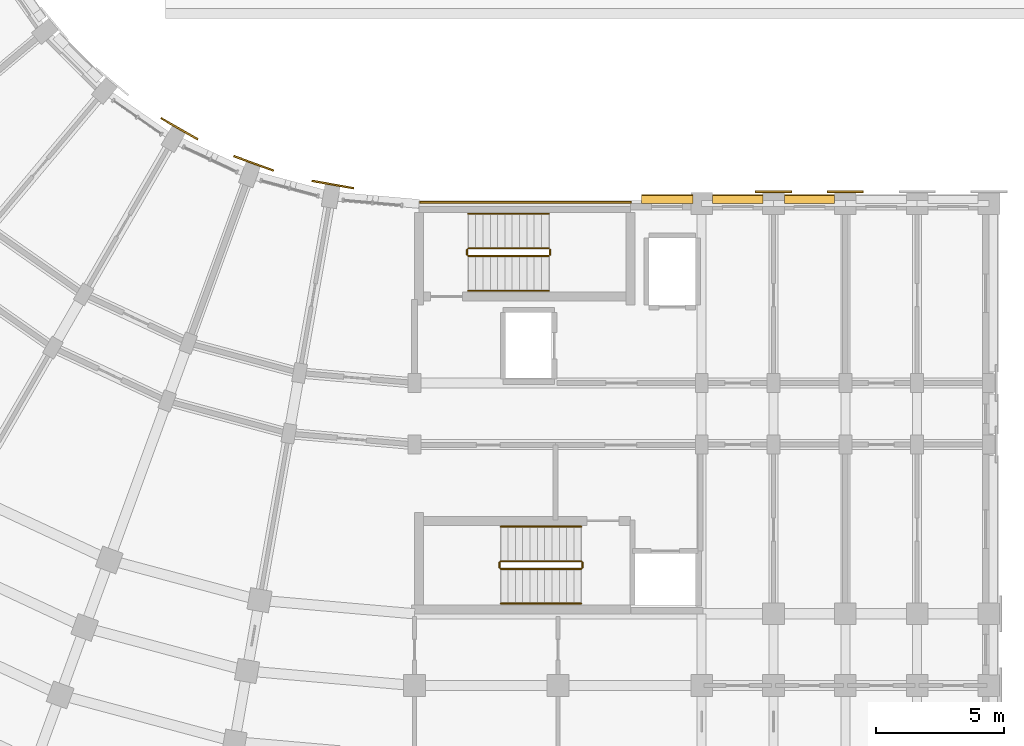
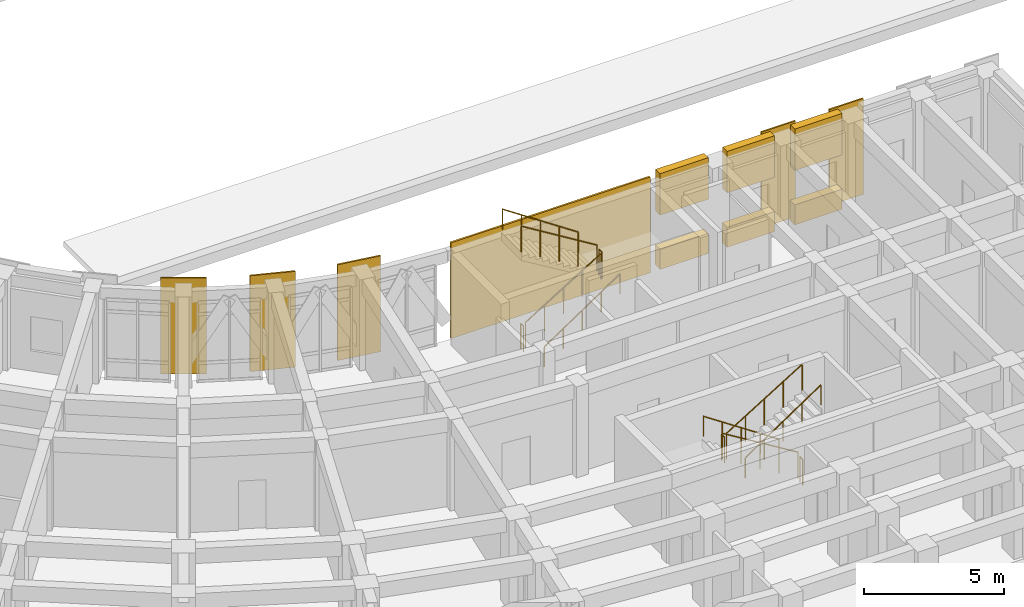
# One storey, part 82 of 97: 12 coverings, 12 railings.
"""IFC4 building model written with IfcOpenShell, lengths in metres."""

from ifc_helpers import new_model, si_unit, direction, frame, origin, origin_2d, place, context, subcontext, project, spatial, polyline, circle, outline, extrude, material, layer, layer_set, type_object, element, save


model = new_model("IFC4")

# Units and contexts
model_context = context("Model", 3, precision=1e-05, world=origin(), true_north=direction((0.0, 1.0)))
body_context = subcontext(model_context, "Body", "Model", "MODEL_VIEW")
ifc_project = project(units=[si_unit("LENGTHUNIT", "METRE"), si_unit("AREAUNIT", "SQUARE_METRE"), si_unit("VOLUMEUNIT", "CUBIC_METRE"), si_unit("PLANEANGLEUNIT", "RADIAN"), si_unit("MASSUNIT", "GRAM", prefix="KILO")], contexts=[model_context])

# Site, building, storey
site_placement = place(None, origin())
site = spatial("IfcSite", under=ifc_project, at=site_placement, CompositionType="ELEMENT")
building_placement = place(site_placement, origin())
building = spatial("IfcBuilding", under=site, at=building_placement, Name="Kiranvali Square Residences", CompositionType="ELEMENT")
storey_placement = place(building_placement, frame((0.0, 0.0, 4.5)))
storey = spatial("IfcBuildingStorey", under=building, at=storey_placement, Name="L01", CompositionType="ELEMENT", Elevation=4.5)

# Coverings
ifc_material_1 = material(Name="Honed Porbandar limestone ashlar facade cladding", Category="masonry")
ifc_layer_1 = layer(ifc_material_1, 0.06494140625)
ifc_layer_set_1 = layer_set([ifc_layer_1], Name="Honed Porbandar limestone ashlar facade cladding")
covering_type_1 = type_object("IfcCoveringType", Name="COV-CLAD-PIER", PredefinedType="CLADDING", material=ifc_layer_set_1)
covering_1_placement = place(storey_placement, frame((0.0, 0.0, 0.0048828125)))
element("IfcCovering", 1, at=covering_1_placement, inside=storey, type_object=covering_type_1, Name="Block C L01 garden stair limestone ashlar cladding", PredefinedType="CLADDING", context=body_context, shape_type="SweptSolid", body=[
    extrude(outline(polyline([(48.39990234375, 29.402099609375), (56.64990234375, 29.402099609375), (56.64990234375, 29.47998046875), (48.39990234375, 29.47998046875), (48.39990234375, 29.402099609375)])), origin(), (0.0, 0.0, 1.0), 4.190185546875),
])
ifc_layer_2 = layer(ifc_material_1, 0.050048828125)
ifc_layer_set_2 = layer_set([ifc_layer_2], Name="Honed Porbandar limestone ashlar facade cladding")
covering_type_2 = type_object("IfcCoveringType", Name="COV-CLAD-PIER-IN", PredefinedType="CLADDING", material=ifc_layer_set_2)
covering_2_placement = place(storey_placement, frame((0.0, 0.0, 0.0048828125)))
element("IfcCovering", 2, at=covering_2_placement, inside=storey, type_object=covering_type_2, Name="L01 Classical garden courtyard pilaster CLAD-PRIN-C-L01-A01", PredefinedType="CLADDING", context=body_context, shape_type="SweptSolid", body=[
    extrude(outline(polyline([(45.83349609375, 30.02783203125), (44.20849609375, 30.314453125), (44.19677734375, 30.247802734375), (45.82177734375, 29.96142578125), (45.83349609375, 30.02783203125)])), origin(), (0.0, 0.0, 1.0), 4.190185546875),
])
covering_3_placement = place(storey_placement, frame((0.0, 0.0, 0.0048828125)))
element("IfcCovering", 3, at=covering_3_placement, inside=storey, type_object=covering_type_2, Name="L01 Classical garden courtyard pilaster CLAD-PRIN-C-L01-A02", PredefinedType="CLADDING", context=body_context, shape_type="SweptSolid", body=[
    extrude(outline(polyline([(42.7138671875, 30.71484375), (41.163330078125, 31.279296875), (41.140380859375, 31.2158203125), (42.69091796875, 30.6513671875), (42.7138671875, 30.71484375)])), origin(), (0.0, 0.0, 1.0), 4.190185546875),
])
covering_4_placement = place(storey_placement, frame((0.0, 0.0, 0.0048828125)))
element("IfcCovering", 4, at=covering_4_placement, inside=storey, type_object=covering_type_2, Name="L01 Classical garden courtyard pilaster CLAD-PRIN-C-L01-A03", PredefinedType="CLADDING", context=body_context, shape_type="SweptSolid", body=[
    extrude(outline(polyline([(39.760986328125, 31.93310546875), (38.33203125, 32.758056640625), (38.29833984375, 32.69970703125), (39.727294921875, 31.874755859375), (39.760986328125, 31.93310546875)])), origin(), (0.0, 0.0, 1.0), 4.190185546875),
])
covering_5_placement = place(storey_placement, frame((0.0, 0.0, 0.0048828125)))
element("IfcCovering", 5, at=covering_5_placement, inside=storey, type_object=covering_type_2, Name="L01 Classical limestone pilaster casing CLAD-PRA1I-C-L01-U140", PredefinedType="CLADDING", context=body_context, shape_type="SweptSolid", body=[
    extrude(outline(polyline([(61.4951171875, 29.825439453125), (62.905029296875, 29.825439453125), (62.905029296875, 29.89306640625), (61.4951171875, 29.89306640625), (61.4951171875, 29.825439453125)])), origin(), (0.0, 0.0, 1.0), 4.190185546875),
])
covering_6_placement = place(storey_placement, frame((0.0, 0.0, 0.0048828125)))
element("IfcCovering", 6, at=covering_6_placement, inside=storey, type_object=covering_type_2, Name="L01 Classical limestone pilaster casing CLAD-PRA1I-C-L01-U167", PredefinedType="CLADDING", context=body_context, shape_type="SweptSolid", body=[
    extrude(outline(polyline([(64.294921875, 29.825439453125), (65.705078125, 29.825439453125), (65.705078125, 29.89306640625), (64.294921875, 29.89306640625), (64.294921875, 29.825439453125)])), origin(), (0.0, 0.0, 1.0), 4.190185546875),
])
ifc_layer_3 = layer(ifc_material_1, 0.360107421875)
ifc_layer_set_3 = layer_set([ifc_layer_3], Name="Honed Porbandar limestone ashlar facade cladding")
covering_type_3 = type_object("IfcCoveringType", Name="COV-CLAD-WALL", PredefinedType="CLADDING", material=ifc_layer_set_3)
covering_7_placement = place(storey_placement, frame((0.0, 0.0, 2.3798828125)))
element("IfcCovering", 7, at=covering_7_placement, inside=storey, type_object=covering_type_3, Name="L01 light limestone spandrel lintel C-L01-A1IN-0", PredefinedType="CLADDING", context=body_context, shape_type="SweptSolid", body=[
    extrude(outline(polyline([(57.050048828125, 29.400390625), (59.050048828125, 29.400390625), (59.050048828125, 29.719970703125), (57.050048828125, 29.719970703125), (57.050048828125, 29.400390625)])), origin(), (0.0, 0.0, 1.0), 1.815185546875),
])
covering_8_placement = place(storey_placement, frame((0.0, 0.0, 0.0048828125)))
element("IfcCovering", 8, at=covering_8_placement, inside=storey, type_object=covering_type_3, Name="L01 limestone window sill apron C-L01-A1IN-0", PredefinedType="CLADDING", context=body_context, shape_type="SweptSolid", body=[
    extrude(outline(polyline([(57.050048828125, 29.400390625), (59.050048828125, 29.400390625), (59.050048828125, 29.75), (57.050048828125, 29.75), (57.050048828125, 29.400390625)])), origin(), (0.0, 0.0, 1.0), 0.875),
])
covering_9_placement = place(storey_placement, frame((0.0, 0.0, 2.3798828125)))
element("IfcCovering", 9, at=covering_9_placement, inside=storey, type_object=covering_type_3, Name="L01 light limestone spandrel lintel C-L01-A1I-0", PredefinedType="CLADDING", context=body_context, shape_type="SweptSolid", body=[
    extrude(outline(polyline([(59.820068359375, 29.400390625), (61.780029296875, 29.400390625), (61.780029296875, 29.719970703125), (59.820068359375, 29.719970703125), (59.820068359375, 29.400390625)])), origin(), (0.0, 0.0, 1.0), 1.815185546875),
])
covering_10_placement = place(storey_placement, frame((0.0, 0.0, 0.0048828125)))
element("IfcCovering", 10, at=covering_10_placement, inside=storey, type_object=covering_type_3, Name="L01 limestone window sill apron C-L01-A1I-0", PredefinedType="CLADDING", context=body_context, shape_type="SweptSolid", body=[
    extrude(outline(polyline([(59.820068359375, 29.400390625), (61.780029296875, 29.400390625), (61.780029296875, 29.75), (59.820068359375, 29.75), (59.820068359375, 29.400390625)])), origin(), (0.0, 0.0, 1.0), 0.875),
])
covering_11_placement = place(storey_placement, frame((0.0, 0.0, 2.3798828125)))
element("IfcCovering", 11, at=covering_11_placement, inside=storey, type_object=covering_type_3, Name="L01 light limestone spandrel lintel C-L01-A1I-1", PredefinedType="CLADDING", context=body_context, shape_type="SweptSolid", body=[
    extrude(outline(polyline([(62.6201171875, 29.400390625), (64.580078125, 29.400390625), (64.580078125, 29.719970703125), (62.6201171875, 29.719970703125), (62.6201171875, 29.400390625)])), origin(), (0.0, 0.0, 1.0), 1.815185546875),
])
covering_12_placement = place(storey_placement, frame((0.0, 0.0, 0.0048828125)))
element("IfcCovering", 12, at=covering_12_placement, inside=storey, type_object=covering_type_3, Name="L01 limestone window sill apron C-L01-A1I-1", PredefinedType="CLADDING", context=body_context, shape_type="SweptSolid", body=[
    extrude(outline(polyline([(62.6201171875, 29.400390625), (64.580078125, 29.400390625), (64.580078125, 29.75), (62.6201171875, 29.75), (62.6201171875, 29.400390625)])), origin(), (0.0, 0.0, 1.0), 0.875),
])

# Railings
ifc_material_2 = material(Name="Brushed stainless steel tubular handrail", Category="steel")
railing_type_1 = type_object("IfcRailingType", Name="RL-HANDRAIL-900", PredefinedType="HANDRAIL", material=ifc_material_2)
railing_1_placement = place(storey_placement, frame((54.699951171875, 16.800048828125, 0.175048828125)))
element("IfcRailing", 13, at=railing_1_placement, inside=storey, type_object=railing_type_1, Name="L01 ST-C1 stair handrail 1", PredefinedType="HANDRAIL", context=body_context, shape_type="SweptSolid", body=[
    extrude(circle(Radius=0.02392578125, at=origin_2d()), frame((0.0, 0.0, 0.8759765625), z_axis=(-0.830843872262, 0.0, 0.556505579419), x_axis=(0.0, -1.0, 0.0)), (0.0, 0.0, 1.0), 3.773193359375),
    extrude(circle(Radius=0.02099609375, at=origin_2d()), origin(), (0.0, 0.0, 1.0), 0.851806640625),
    extrude(circle(Radius=0.02099609375, at=origin_2d()), frame((-0.78369140625, 0.0, 0.52490234375)), (0.0, 0.0, 1.0), 0.851806640625),
    extrude(circle(Radius=0.02099609375, at=origin_2d()), frame((-1.5673828125, 0.0, 1.0498046875)), (0.0, 0.0, 1.0), 0.851806640625),
    extrude(circle(Radius=0.02099609375, at=origin_2d()), frame((-2.351318359375, 0.0, 1.574951171875)), (0.0, 0.0, 1.0), 0.851806640625),
    extrude(circle(Radius=0.02099609375, at=origin_2d()), frame((-3.135009765625, 0.0, 2.099853515625)), (0.0, 0.0, 1.0), 0.851806640625),
])
railing_2_placement = place(storey_placement, frame((51.56494140625, 13.800048828125, 2.27490234375)))
element("IfcRailing", 14, at=railing_2_placement, inside=storey, type_object=railing_type_1, Name="L01 ST-C1 stair handrail 2", PredefinedType="HANDRAIL", context=body_context, shape_type="SweptSolid", body=[
    extrude(circle(Radius=0.02392578125, at=origin_2d()), frame((0.0, 0.0, 0.8759765625), z_axis=(0.830813955726, 0.0, 0.556550241192), x_axis=(0.0, 1.0, 0.0)), (0.0, 0.0, 1.0), 3.7734375),
    extrude(circle(Radius=0.02099609375, at=origin_2d()), origin(), (0.0, 0.0, 1.0), 0.851806640625),
    extrude(circle(Radius=0.02099609375, at=origin_2d()), frame((0.78369140625, 0.0, 0.52490234375)), (0.0, 0.0, 1.0), 0.851806640625),
    extrude(circle(Radius=0.02099609375, at=origin_2d()), frame((1.5673828125, 0.0, 1.050048828125)), (0.0, 0.0, 1.0), 0.851806640625),
    extrude(circle(Radius=0.02099609375, at=origin_2d()), frame((2.351318359375, 0.0, 1.5751953125)), (0.0, 0.0, 1.0), 0.851806640625),
    extrude(circle(Radius=0.02099609375, at=origin_2d()), frame((3.135009765625, 0.0, 2.10009765625)), (0.0, 0.0, 1.0), 0.851806640625),
])
railing_3_placement = place(storey_placement, frame((50.300048828125, 26.0, 0.175048828125)))
element("IfcRailing", 15, at=railing_3_placement, inside=storey, type_object=railing_type_1, Name="L01 ST-C2 stair handrail 1", PredefinedType="HANDRAIL", context=body_context, shape_type="SweptSolid", body=[
    extrude(circle(Radius=0.02392578125, at=origin_2d()), frame((0.0, 0.0, 0.8759765625), z_axis=(0.830843872262, 0.0, 0.556505579419), x_axis=(0.0, 1.0, 0.0)), (0.0, 0.0, 1.0), 3.773193359375),
    extrude(circle(Radius=0.02099609375, at=origin_2d()), origin(), (0.0, 0.0, 1.0), 0.851806640625),
    extrude(circle(Radius=0.02099609375, at=origin_2d()), frame((0.78369140625, 0.0, 0.52490234375)), (0.0, 0.0, 1.0), 0.851806640625),
    extrude(circle(Radius=0.02099609375, at=origin_2d()), frame((1.5673828125, 0.0, 1.0498046875)), (0.0, 0.0, 1.0), 0.851806640625),
    extrude(circle(Radius=0.02099609375, at=origin_2d()), frame((2.351318359375, 0.0, 1.574951171875)), (0.0, 0.0, 1.0), 0.851806640625),
    extrude(circle(Radius=0.02099609375, at=origin_2d()), frame((3.135009765625, 0.0, 2.099853515625)), (0.0, 0.0, 1.0), 0.851806640625),
])
railing_4_placement = place(storey_placement, frame((53.43505859375, 29.0, 2.27490234375)))
element("IfcRailing", 16, at=railing_4_placement, inside=storey, type_object=railing_type_1, Name="L01 ST-C2 stair handrail 2", PredefinedType="HANDRAIL", context=body_context, shape_type="SweptSolid", body=[
    extrude(circle(Radius=0.02392578125, at=origin_2d()), frame((0.0, 0.0, 0.8759765625), z_axis=(-0.830813955726, 0.0, 0.556550241192), x_axis=(0.0, -1.0, 0.0)), (0.0, 0.0, 1.0), 3.7734375),
    extrude(circle(Radius=0.02099609375, at=origin_2d()), origin(), (0.0, 0.0, 1.0), 0.851806640625),
    extrude(circle(Radius=0.02099609375, at=origin_2d()), frame((-0.78369140625, 0.0, 0.52490234375)), (0.0, 0.0, 1.0), 0.851806640625),
    extrude(circle(Radius=0.02099609375, at=origin_2d()), frame((-1.5673828125, 0.0, 1.050048828125)), (0.0, 0.0, 1.0), 0.851806640625),
    extrude(circle(Radius=0.02099609375, at=origin_2d()), frame((-2.351318359375, 0.0, 1.5751953125)), (0.0, 0.0, 1.0), 0.851806640625),
    extrude(circle(Radius=0.02099609375, at=origin_2d()), frame((-3.135009765625, 0.0, 2.10009765625)), (0.0, 0.0, 1.0), 0.851806640625),
])
ifc_material_3 = material(Name="Powder-coated architectural bronze balustrade", Category="steel")
railing_type_2 = type_object("IfcRailingType", Name="RL-ST-GUARD-1200", PredefinedType="GUARDRAIL", material=ifc_material_3)
railing_5_placement = place(storey_placement, frame((54.699951171875, 15.449951171875, 0.175048828125)))
element("IfcRailing", 17, at=railing_5_placement, inside=storey, type_object=railing_type_2, Name="L01 ST-C1 stair guard 1", PredefinedType="GUARDRAIL", context=body_context, shape_type="SweptSolid", body=[
    extrude(circle(Radius=0.02392578125, at=origin_2d()), frame((0.0, 0.0, 1.1259765625), z_axis=(-0.852166034122, 0.0, 0.523271488128), x_axis=(0.0, -1.0, 0.0)), (0.0, 0.0, 1.0), 3.678955078125),
    extrude(circle(Radius=0.02099609375, at=origin_2d()), origin(), (0.0, 0.0, 1.0), 1.101806640625),
    extrude(circle(Radius=0.02099609375, at=origin_2d()), frame((-0.78369140625, 0.0, 0.481201171875)), (0.0, 0.0, 1.0), 1.101806640625),
    extrude(circle(Radius=0.02099609375, at=origin_2d()), frame((-1.5673828125, 0.0, 0.96240234375)), (0.0, 0.0, 1.0), 1.101806640625),
    extrude(circle(Radius=0.02099609375, at=origin_2d()), frame((-2.351318359375, 0.0, 1.44384765625)), (0.0, 0.0, 1.0), 1.101806640625),
    extrude(circle(Radius=0.02099609375, at=origin_2d()), frame((-3.135009765625, 0.0, 1.925048828125)), (0.0, 0.0, 1.0), 1.101806640625),
])
railing_6_placement = place(storey_placement, frame((51.514892578125, 15.39990234375, 2.10009765625)))
element("IfcRailing", 18, at=railing_6_placement, inside=storey, type_object=railing_type_2, Name="L01 ST-C1 stair guard 2", PredefinedType="GUARDRAIL", context=body_context, shape_type="SweptSolid", body=[
    extrude(circle(Radius=0.02392578125, at=origin_2d()), frame((0.0, 0.0, 1.1259765625), z_axis=(0.0, -1.0, 0.0), x_axis=(1.0, 0.0, 0.0)), (0.0, 0.0, 1.0), 0.199951171875),
    extrude(circle(Radius=0.02099609375, at=origin_2d()), origin(), (0.0, 0.0, 1.0), 1.101806640625),
    extrude(circle(Radius=0.02099609375, at=origin_2d()), frame((0.0, -0.199951171875, 0.0)), (0.0, 0.0, 1.0), 1.101806640625),
])
railing_7_placement = place(storey_placement, frame((51.56494140625, 15.14990234375, 2.27490234375)))
element("IfcRailing", 19, at=railing_7_placement, inside=storey, type_object=railing_type_2, Name="L01 ST-C1 stair guard 3", PredefinedType="GUARDRAIL", context=body_context, shape_type="SweptSolid", body=[
    extrude(circle(Radius=0.02392578125, at=origin_2d()), frame((0.0, 0.0, 1.1259765625), z_axis=(0.852166034122, 0.0, 0.523271488128), x_axis=(0.0, 1.0, 0.0)), (0.0, 0.0, 1.0), 3.678955078125),
    extrude(circle(Radius=0.02099609375, at=origin_2d()), origin(), (0.0, 0.0, 1.0), 1.101806640625),
    extrude(circle(Radius=0.02099609375, at=origin_2d()), frame((0.78369140625, 0.0, 0.481201171875)), (0.0, 0.0, 1.0), 1.101806640625),
    extrude(circle(Radius=0.02099609375, at=origin_2d()), frame((1.5673828125, 0.0, 0.96240234375)), (0.0, 0.0, 1.0), 1.101806640625),
    extrude(circle(Radius=0.02099609375, at=origin_2d()), frame((2.351318359375, 0.0, 1.44384765625)), (0.0, 0.0, 1.0), 1.101806640625),
    extrude(circle(Radius=0.02099609375, at=origin_2d()), frame((3.135009765625, 0.0, 1.925048828125)), (0.0, 0.0, 1.0), 1.101806640625),
])
railing_8_placement = place(storey_placement, frame((54.75, 15.39990234375, 0.0)))
element("IfcRailing", 20, at=railing_8_placement, inside=storey, type_object=railing_type_2, Name="L01 ST-C1 stair guard 4", PredefinedType="GUARDRAIL", context=body_context, shape_type="SweptSolid", body=[
    extrude(circle(Radius=0.02392578125, at=origin_2d()), frame((0.0, 0.0, 1.1259765625), z_axis=(0.0, -1.0, 0.0), x_axis=(1.0, 0.0, 0.0)), (0.0, 0.0, 1.0), 0.199951171875),
    extrude(circle(Radius=0.02099609375, at=origin_2d()), origin(), (0.0, 0.0, 1.0), 1.101806640625),
    extrude(circle(Radius=0.02099609375, at=origin_2d()), frame((0.0, -0.199951171875, 0.0)), (0.0, 0.0, 1.0), 1.101806640625),
])
railing_9_placement = place(storey_placement, frame((50.300048828125, 27.35009765625, 0.175048828125)))
element("IfcRailing", 21, at=railing_9_placement, inside=storey, type_object=railing_type_2, Name="L01 ST-C2 stair guard 1", PredefinedType="GUARDRAIL", context=body_context, shape_type="SweptSolid", body=[
    extrude(circle(Radius=0.02392578125, at=origin_2d()), frame((0.0, 0.0, 1.1259765625), z_axis=(0.852166034122, 0.0, 0.523271488128), x_axis=(0.0, 1.0, 0.0)), (0.0, 0.0, 1.0), 3.678955078125),
    extrude(circle(Radius=0.02099609375, at=origin_2d()), origin(), (0.0, 0.0, 1.0), 1.101806640625),
    extrude(circle(Radius=0.02099609375, at=origin_2d()), frame((0.78369140625, 0.0, 0.481201171875)), (0.0, 0.0, 1.0), 1.101806640625),
    extrude(circle(Radius=0.02099609375, at=origin_2d()), frame((1.5673828125, 0.0, 0.96240234375)), (0.0, 0.0, 1.0), 1.101806640625),
    extrude(circle(Radius=0.02099609375, at=origin_2d()), frame((2.351318359375, 0.0, 1.44384765625)), (0.0, 0.0, 1.0), 1.101806640625),
    extrude(circle(Radius=0.02099609375, at=origin_2d()), frame((3.135009765625, 0.0, 1.925048828125)), (0.0, 0.0, 1.0), 1.101806640625),
])
railing_10_placement = place(storey_placement, frame((53.485107421875, 27.39990234375, 2.10009765625)))
element("IfcRailing", 22, at=railing_10_placement, inside=storey, type_object=railing_type_2, Name="L01 ST-C2 stair guard 2", PredefinedType="GUARDRAIL", context=body_context, shape_type="SweptSolid", body=[
    extrude(circle(Radius=0.02392578125, at=origin_2d()), frame((0.0, 0.0, 1.1259765625), z_axis=(0.0, 1.0, 0.0), x_axis=(-1.0, 0.0, 0.0)), (0.0, 0.0, 1.0), 0.2001953125),
    extrude(circle(Radius=0.02099609375, at=origin_2d()), origin(), (0.0, 0.0, 1.0), 1.101806640625),
    extrude(circle(Radius=0.02099609375, at=origin_2d()), frame((0.0, 0.2001953125, 0.0)), (0.0, 0.0, 1.0), 1.101806640625),
])
railing_11_placement = place(storey_placement, frame((53.43505859375, 27.64990234375, 2.27490234375)))
element("IfcRailing", 23, at=railing_11_placement, inside=storey, type_object=railing_type_2, Name="L01 ST-C2 stair guard 3", PredefinedType="GUARDRAIL", context=body_context, shape_type="SweptSolid", body=[
    extrude(circle(Radius=0.02392578125, at=origin_2d()), frame((0.0, 0.0, 1.1259765625), z_axis=(-0.852166034122, 0.0, 0.523271488128), x_axis=(0.0, -1.0, 0.0)), (0.0, 0.0, 1.0), 3.678955078125),
    extrude(circle(Radius=0.02099609375, at=origin_2d()), origin(), (0.0, 0.0, 1.0), 1.101806640625),
    extrude(circle(Radius=0.02099609375, at=origin_2d()), frame((-0.78369140625, 0.0, 0.481201171875)), (0.0, 0.0, 1.0), 1.101806640625),
    extrude(circle(Radius=0.02099609375, at=origin_2d()), frame((-1.5673828125, 0.0, 0.96240234375)), (0.0, 0.0, 1.0), 1.101806640625),
    extrude(circle(Radius=0.02099609375, at=origin_2d()), frame((-2.351318359375, 0.0, 1.44384765625)), (0.0, 0.0, 1.0), 1.101806640625),
    extrude(circle(Radius=0.02099609375, at=origin_2d()), frame((-3.135009765625, 0.0, 1.925048828125)), (0.0, 0.0, 1.0), 1.101806640625),
])
railing_12_placement = place(storey_placement, frame((50.25, 27.39990234375, 0.0)))
element("IfcRailing", 24, at=railing_12_placement, inside=storey, type_object=railing_type_2, Name="L01 ST-C2 stair guard 4", PredefinedType="GUARDRAIL", context=body_context, shape_type="SweptSolid", body=[
    extrude(circle(Radius=0.02392578125, at=origin_2d()), frame((0.0, 0.0, 1.1259765625), z_axis=(0.0, 1.0, 0.0), x_axis=(-1.0, 0.0, 0.0)), (0.0, 0.0, 1.0), 0.2001953125),
    extrude(circle(Radius=0.02099609375, at=origin_2d()), origin(), (0.0, 0.0, 1.0), 1.101806640625),
    extrude(circle(Radius=0.02099609375, at=origin_2d()), frame((0.0, 0.2001953125, 0.0)), (0.0, 0.0, 1.0), 1.101806640625),
])

save(model, "model.ifc")
